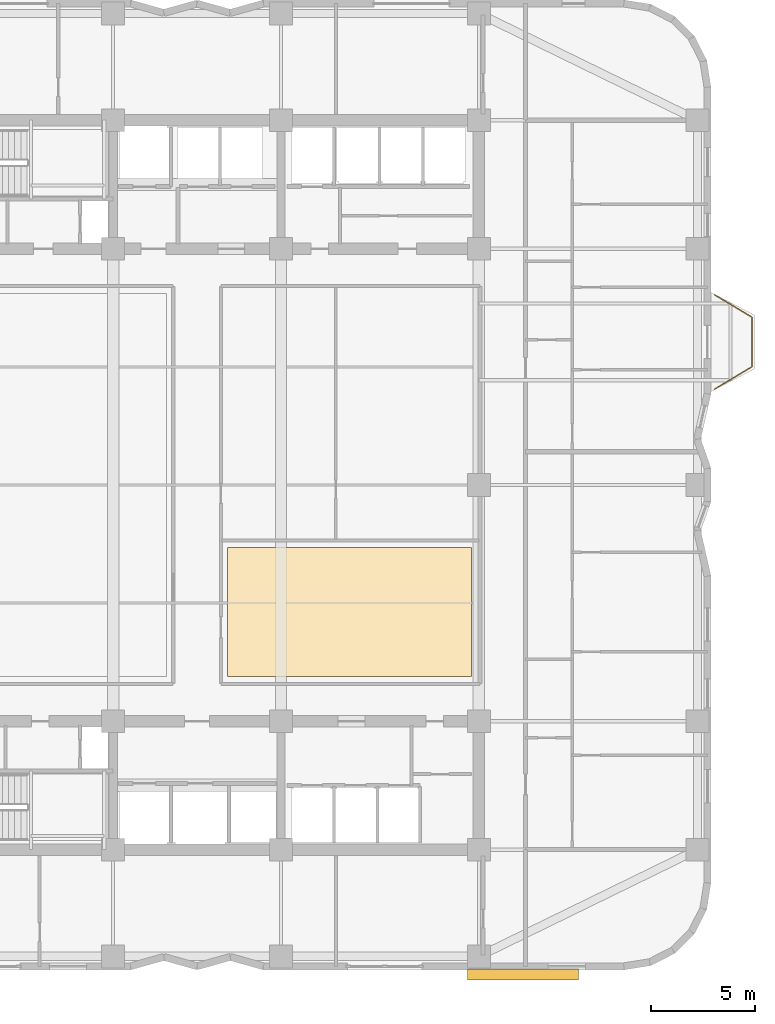
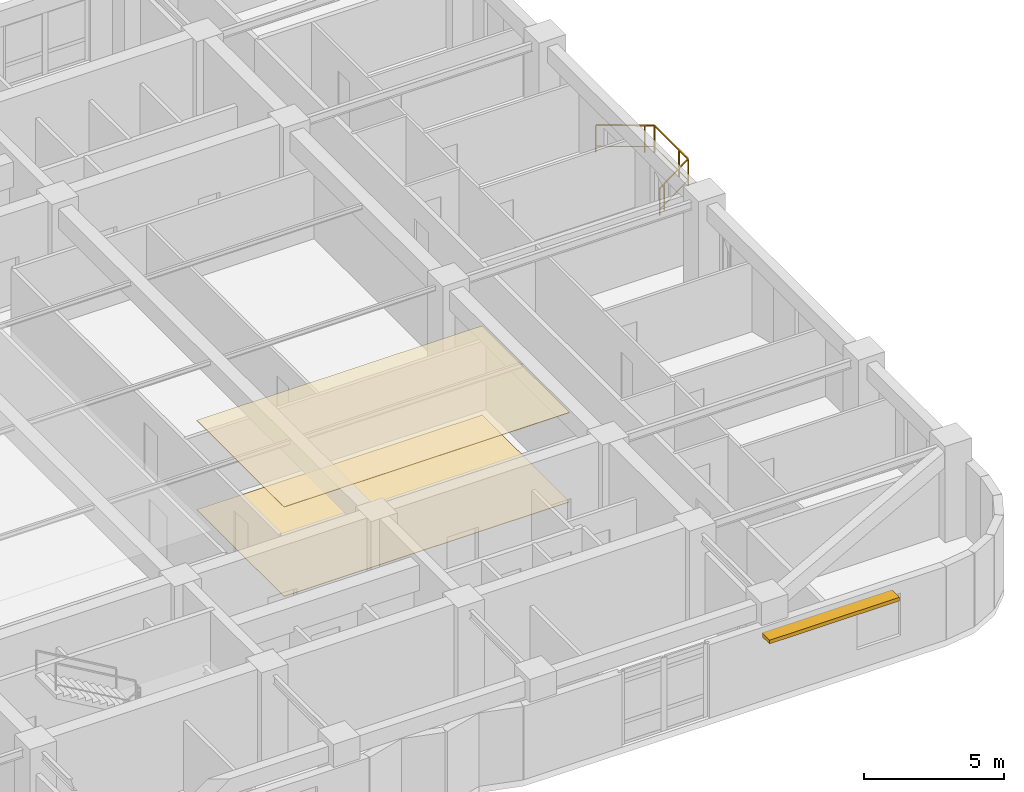
# One storey, part 14 of 15: 2 coverings, 1 railing, 1 shading device.
"""IFC4 building model written with IfcOpenShell, lengths in metres."""

from ifc_helpers import new_model, si_unit, direction, frame, origin, origin_2d, place, context, subcontext, project, spatial, polyline, rectangle, outline, extrude, material, layer, layer_set, type_object, element, save


model = new_model("IFC4")

# Units and contexts
model_context = context("Model", 3, precision=1e-05, world=origin(), true_north=direction((0.0, 1.0)))
body_context = subcontext(model_context, "Body", "Model", "MODEL_VIEW")
ifc_project = project(units=[si_unit("LENGTHUNIT", "METRE"), si_unit("AREAUNIT", "SQUARE_METRE"), si_unit("VOLUMEUNIT", "CUBIC_METRE"), si_unit("PLANEANGLEUNIT", "RADIAN"), si_unit("MASSUNIT", "GRAM", prefix="KILO")], contexts=[model_context])

# Site, building, storey
site_placement = place(None, origin())
site = spatial("IfcSite", under=ifc_project, at=site_placement, CompositionType="ELEMENT")
building_placement = place(site_placement, origin())
building = spatial("IfcBuilding", under=site, at=building_placement, Name="Svetorya Sky Lyceum", CompositionType="ELEMENT")
storey_placement = place(building_placement, frame((0.0, 0.0, 84.10009765625)))
storey = spatial("IfcBuildingStorey", under=building, at=storey_placement, Name="L20", CompositionType="ELEMENT", Elevation=84.10009765625)

# Coverings
ifc_material_1 = material(Name="Mineral-fibre classroom acoustic ceiling tile")
ifc_layer_1 = layer(ifc_material_1, 0.02392578125)
ifc_layer_set_1 = layer_set([ifc_layer_1], Name="Mineral-fibre classroom acoustic ceiling tile")
covering_type_1 = type_object("IfcCoveringType", Name="COV-CLG-AC24", PredefinedType="CEILING", material=ifc_layer_set_1)
covering_1_placement = place(storey_placement, frame((0.0, 0.0, 3.89599609375)))
element("IfcCovering", 1, at=covering_1_placement, inside=storey, type_object=covering_type_1, Name="Residents Club L20 Commons Acoustic Ceiling", PredefinedType="CEILING", context=body_context, shape_type="SweptSolid", body=[
    extrude(outline(polyline([(40.669921875, 18.949951171875), (52.449951171875, 18.949951171875), (52.449951171875, 25.1904296875), (40.669921875, 25.1904296875), (40.669921875, 18.949951171875)])), origin(), (0.0, 0.0, 1.0), 0.02392578125),
])
ifc_material_2 = material(Name="Engineered Nordic oak parquet flooring")
ifc_layer_2 = layer(ifc_material_2, 0.02197265625)
ifc_layer_set_2 = layer_set([ifc_layer_2], Name="Engineered Nordic oak parquet flooring")
covering_type_2 = type_object("IfcCoveringType", Name="COV-FLR-OAK", PredefinedType="FLOORING", material=ifc_layer_set_2)
covering_2_placement = place(storey_placement, origin())
element("IfcCovering", 2, at=covering_2_placement, inside=storey, type_object=covering_type_2, Name="Residents Club L20 Commons Architectural Flooring", PredefinedType="FLOORING", context=body_context, shape_type="SweptSolid", body=[
    extrude(outline(polyline([(40.669921875, 18.949951171875), (52.449951171875, 18.949951171875), (52.449951171875, 25.1904296875), (40.669921875, 25.1904296875), (40.669921875, 18.949951171875)])), origin(), (0.0, 0.0, 1.0), 0.02197265625),
])

# Railing
ifc_material_3 = material(Name="Laminated safety glass and stainless AISI 316", Category="glass")
railing_type = type_object("IfcRailingType", Name="RL-BAL-1200", PredefinedType="BALUSTRADE", material=ifc_material_3)
railing_placement = place(storey_placement, frame((64.169921875, 37.3798828125, 0.0)))
element("IfcRailing", 3, at=railing_placement, inside=storey, type_object=railing_type, Name="L20 Balcony Balustrade BAL-E1", PredefinedType="BALUSTRADE", context=body_context, shape_type="SweptSolid", body=[
    extrude(rectangle(XDim=0.048095703125, YDim=0.048095703125, at=origin_2d()), frame((0.0, 0.0, 1.17578125), z_axis=(0.85753397263, -0.514427337711, 0.0), x_axis=(0.514427337711, 0.85753397263, 0.0)), (0.0, 0.0, 1.0), 2.09912109375),
    extrude(rectangle(XDim=0.02392578125, YDim=0.02392578125, at=origin_2d()), frame((0.0, 0.0, 0.25), z_axis=(0.85753397263, -0.514427337711, 0.0), x_axis=(0.514427337711, 0.85753397263, 0.0)), (0.0, 0.0, 1.0), 2.09912109375),
    extrude(rectangle(XDim=0.048095703125, YDim=0.048095703125, at=origin_2d()), frame((1.800048828125, -1.079833984375, 1.17578125), z_axis=(0.0, -1.0, 0.0), x_axis=(1.0, 0.0, 0.0)), (0.0, 0.0, 1.0), 2.400146484375),
    extrude(rectangle(XDim=0.02392578125, YDim=0.02392578125, at=origin_2d()), frame((1.800048828125, -1.079833984375, 0.25), z_axis=(0.0, -1.0, 0.0), x_axis=(1.0, 0.0, 0.0)), (0.0, 0.0, 1.0), 2.400146484375),
    extrude(rectangle(XDim=0.048095703125, YDim=0.048095703125, at=origin_2d()), frame((1.800048828125, -3.47998046875, 1.17578125), z_axis=(-0.85753397263, -0.514427337711, 0.0), x_axis=(0.514427337711, -0.85753397263, 0.0)), (0.0, 0.0, 1.0), 2.09912109375),
    extrude(rectangle(XDim=0.02392578125, YDim=0.02392578125, at=origin_2d()), frame((1.800048828125, -3.47998046875, 0.25), z_axis=(-0.85753397263, -0.514427337711, 0.0), x_axis=(0.514427337711, -0.85753397263, 0.0)), (0.0, 0.0, 1.0), 2.09912109375),
    extrude(rectangle(XDim=0.0419921875, YDim=0.0419921875, at=origin_2d()), origin(), (0.0, 0.0, 1.0), 1.15185546875),
    extrude(rectangle(XDim=0.0419921875, YDim=0.0419921875, at=origin_2d()), frame((1.500732421875, -0.900146484375, 0.0)), (0.0, 0.0, 1.0), 1.15185546875),
    extrude(rectangle(XDim=0.0419921875, YDim=0.0419921875, at=origin_2d()), frame((1.800048828125, -1.079833984375, 0.0)), (0.0, 0.0, 1.0), 1.15185546875),
    extrude(rectangle(XDim=0.0419921875, YDim=0.0419921875, at=origin_2d()), frame((1.800048828125, -2.829833984375, 0.0)), (0.0, 0.0, 1.0), 1.15185546875),
    extrude(rectangle(XDim=0.0419921875, YDim=0.0419921875, at=origin_2d()), frame((1.800048828125, -3.47998046875, 0.0)), (0.0, 0.0, 1.0), 1.15185546875),
    extrude(rectangle(XDim=0.0419921875, YDim=0.0419921875, at=origin_2d()), frame((0.29931640625, -4.380126953125, 0.0)), (0.0, 0.0, 1.0), 1.15185546875),
    extrude(rectangle(XDim=0.0419921875, YDim=0.0419921875, at=origin_2d()), frame((0.0, -4.559814453125, 0.0)), (0.0, 0.0, 1.0), 1.15185546875),
])

# Shading device
ifc_material_4 = material(Name="Champagne-anodized extruded aluminium sunshade", Category="aluminium")
ifc_layer_3 = layer(ifc_material_4, 0.159912109375)
ifc_layer_set_3 = layer_set([ifc_layer_3], Name="Champagne-anodized extruded aluminium sunshade")
shading_device_type = type_object("IfcShadingDeviceType", Name="SHD-LVR-540", PredefinedType="AWNING", material=ifc_layer_set_3)
shading_device_placement = place(storey_placement, frame((54.925048828125, 4.580078125, 2.77001953125), z_axis=(0.0, 0.0, 1.0), x_axis=(1.0, 0.0, 0.0)))
element("IfcShadingDevice", 4, at=shading_device_placement, inside=storey, type_object=shading_device_type, Name="L20 Solar Brise-Soleil SHD-1.11B", PredefinedType="AWNING", context=body_context, shape_type="SweptSolid", body=[
    extrude(rectangle(XDim=5.363037109375, YDim=0.5400390625, at=origin_2d()), origin(), (0.0, 0.0, 1.0), 0.159912109375),
])

save(model, "model.ifc")
